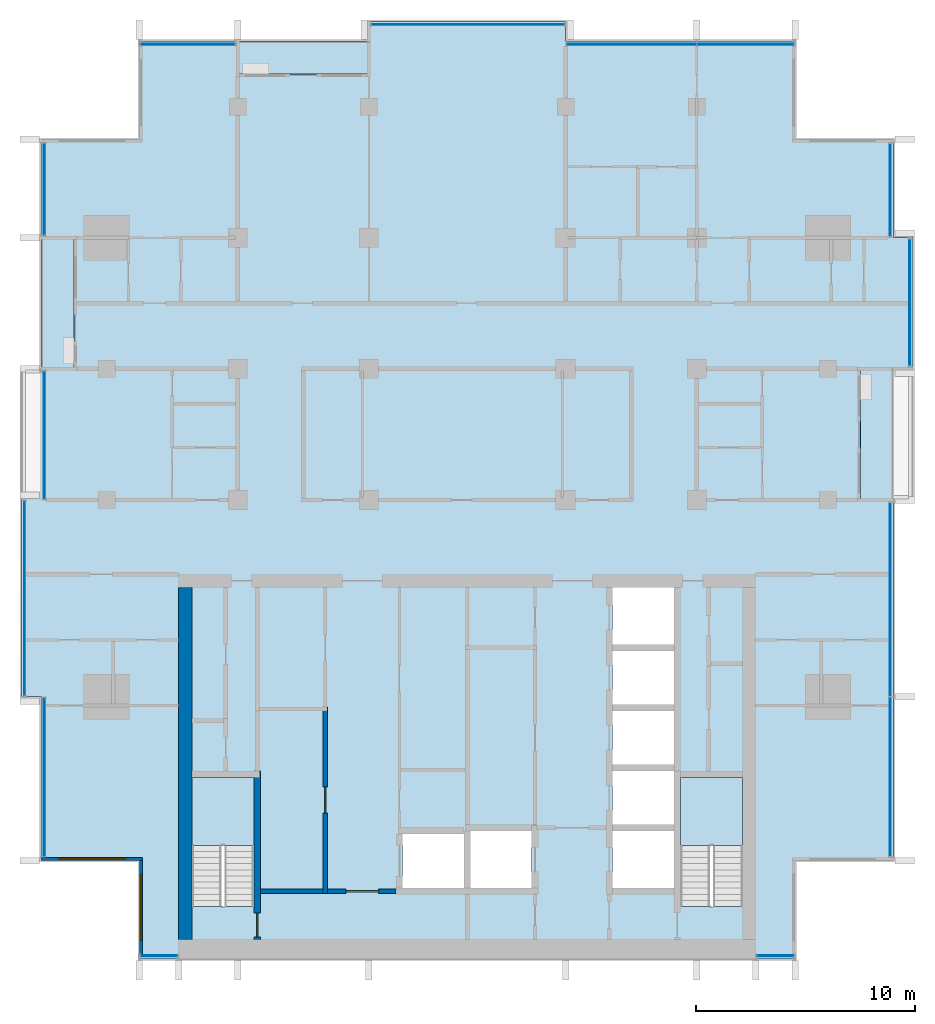
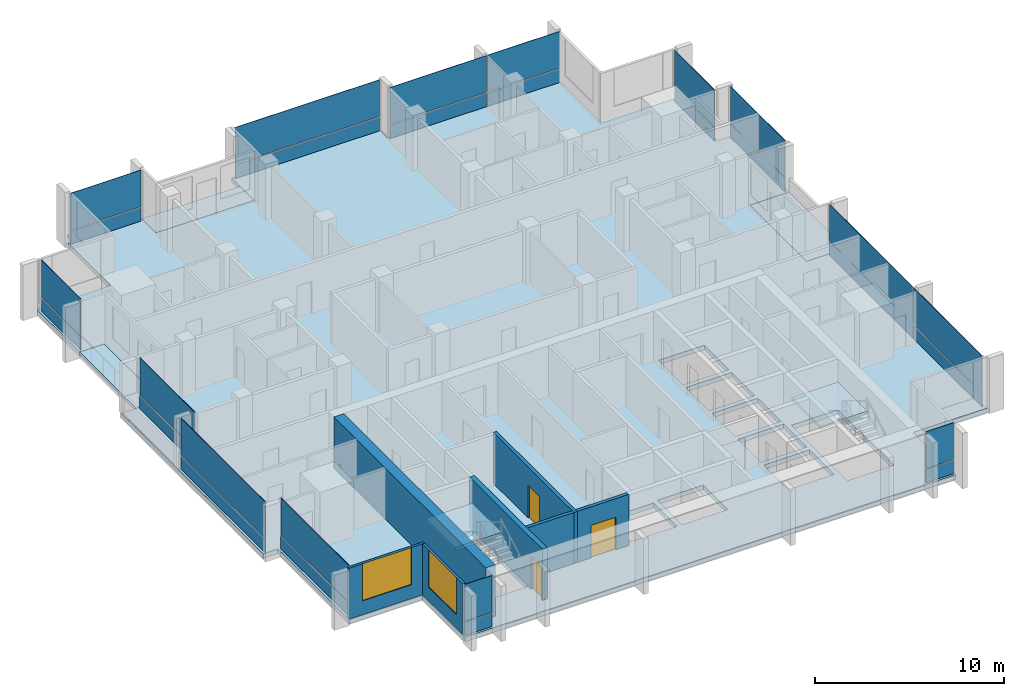
# One storey, part 6 of 16: 28 plates, 7 walls, 6 slabs, 3 doors, 2 windows, 5 openings, 14 elements without a shape of their own.
"""IFC4 building model written with IfcOpenShell, lengths in metres."""

from ifc_helpers import new_model, si_unit, direction, frame, frame_2d, origin, origin_2d, place, context, subcontext, project, spatial, polyline, rectangle, outline, extrude, material, layer, layer_set, type_object, element, fill, aggregate, save


model = new_model("IFC4")

# Units and contexts
model_context = context("Model", 3, precision=1e-05, world=origin(), true_north=direction((0.0, 1.0)))
body_context = subcontext(model_context, "Body", "Model", "MODEL_VIEW")
ifc_project = project(units=[si_unit("LENGTHUNIT", "METRE"), si_unit("AREAUNIT", "SQUARE_METRE"), si_unit("VOLUMEUNIT", "CUBIC_METRE"), si_unit("PLANEANGLEUNIT", "RADIAN"), si_unit("MASSUNIT", "GRAM", prefix="KILO")], contexts=[model_context])

# Site, building, storey
site_placement = place(None, origin())
site = spatial("IfcSite", under=ifc_project, at=site_placement, CompositionType="ELEMENT")
building_placement = place(site_placement, origin())
building = spatial("IfcBuilding", under=site, at=building_placement, Name="Finial Court Residences", CompositionType="ELEMENT")
storey_placement = place(building_placement, frame((0.0, 0.0, 208.699951171875)))
storey = spatial("IfcBuildingStorey", under=building, at=storey_placement, Name="L52", CompositionType="ELEMENT", Elevation=208.699951171875)

# Slabs
ifc_material_1 = material(Name="Concrete C35/45", Category="concrete")
ifc_layer_1 = layer(ifc_material_1, 0.199951171875)
ifc_layer_set_1 = layer_set([ifc_layer_1], Name="Balcony slab, Concrete C35/45 200")
slab_type_1 = type_object("IfcSlabType", Name="Balcony slab, Concrete C35/45 200", PredefinedType="FLOOR", material=ifc_layer_set_1)
slab_1_placement = place(storey_placement, frame((0.0, 0.0, -0.199951171875)))
element("IfcSlab", 1, at=slab_1_placement, inside=storey, type_object=slab_type_1, Name="Balcony L52-N2", PredefinedType="FLOOR", context=body_context, shape_type="SweptSolid", body=[
    extrude(outline(polyline([(-4.5, 15.0), (-4.5, 16.5), (-10.5, 16.5), (-10.5, 15.0), (-4.5, 15.0)])), origin(), (0.0, 0.0, 1.0), 0.199951171875),
])
slab_2_placement = place(storey_placement, frame((0.0, 0.0, -0.199951171875)))
element("IfcSlab", 2, at=slab_2_placement, inside=storey, type_object=slab_type_1, Name="Balcony L52-E3", PredefinedType="FLOOR", context=body_context, shape_type="SweptSolid", body=[
    extrude(outline(polyline([(18.0, 1.5), (19.5, 1.5), (20.39990234375, 1.5), (20.39990234375, -4.5), (19.5, -4.5), (18.0, -4.5), (18.0, 1.5)])), origin(), (0.0, 0.0, 1.0), 0.199951171875),
])
slab_3_placement = place(storey_placement, frame((0.0, 0.0, -0.199951171875)))
element("IfcSlab", 3, at=slab_3_placement, inside=storey, type_object=slab_type_1, Name="Balcony L52-W4", PredefinedType="FLOOR", context=body_context, shape_type="SweptSolid", body=[
    extrude(outline(polyline([(-18.0, 1.5), (-18.0, 7.5), (-19.5, 7.5), (-19.5, 1.5), (-18.0, 1.5)])), origin(), (0.0, 0.0, 1.0), 0.199951171875),
])

# Curtain wall, plate
ifc_material_2 = material(Name="Bronze anodised aluminium", Category="aluminium")
curtain_wall_type = type_object("IfcCurtainWallType", Name="Unitised curtain wall, upper zones", PredefinedType="NOTDEFINED", material=ifc_material_2)
curtain_wall_1_placement = place(storey_placement, origin())
curtain_wall_1 = element("IfcCurtainWall", 4, at=curtain_wall_1_placement, inside=storey, type_object=curtain_wall_type, Name="E-L52-CW-N1", PredefinedType="NOTDEFINED")
ifc_layer_2 = layer(ifc_material_2, 0.035888671875)
ifc_layer_set_2 = layer_set([ifc_layer_2], Name="CW2 spandrel panel 36")
plate_type_1 = type_object("IfcPlateType", Name="CW2 spandrel panel 36", PredefinedType="CURTAIN_PANEL", material=ifc_layer_set_2)
plate_1_placement = place(storey_placement, frame((-12.78759765625, 16.35009765625, 0.0), z_axis=(0.0, 0.0, 1.0), x_axis=(1.0, 0.0, 0.0)))
plate_1 = element("IfcPlate", 5, at=plate_1_placement, type_object=plate_type_1, Name="CW2 spandrel 1.1", PredefinedType="CURTAIN_PANEL", context=body_context, shape_type="SweptSolid", body=[
    extrude(rectangle(XDim=4.304931640625, YDim=0.035888671875, at=origin_2d()), origin(), (0.0, 0.0, 1.0), 0.8701171875),
])

curtain_wall_2_placement = place(storey_placement, origin())
curtain_wall_2 = element("IfcCurtainWall", 6, at=curtain_wall_2_placement, inside=storey, type_object=curtain_wall_type, Name="E-L52-CW-N2", PredefinedType="NOTDEFINED")
plate_2_placement = place(storey_placement, frame((0.03759765625, 17.25, 0.0), z_axis=(0.0, 0.0, 1.0), x_axis=(1.0, 0.0, 0.0)))
plate_2 = element("IfcPlate", 7, at=plate_2_placement, type_object=plate_type_1, Name="CW2 spandrel 1.1", PredefinedType="CURTAIN_PANEL", context=body_context, shape_type="SweptSolid", body=[
    extrude(rectangle(XDim=8.804931640625, YDim=0.035888671875, at=origin_2d()), origin(), (0.0, 0.0, 1.0), 0.8701171875),
])

# Curtain wall, plates
curtain_wall_3_placement = place(storey_placement, origin())
curtain_wall_3 = element("IfcCurtainWall", 8, at=curtain_wall_3_placement, inside=storey, type_object=curtain_wall_type, Name="E-L52-CW-N3", PredefinedType="NOTDEFINED")
plate_3_placement = place(storey_placement, frame((7.514892578125, 16.35009765625, 0.0), z_axis=(0.0, 0.0, 1.0), x_axis=(1.0, 0.0, 0.0)))
plate_3 = element("IfcPlate", 9, at=plate_3_placement, type_object=plate_type_1, Name="CW2 spandrel 1.1", PredefinedType="CURTAIN_PANEL", context=body_context, shape_type="SweptSolid", body=[
    extrude(rectangle(XDim=5.909912109375, YDim=0.035888671875, at=origin_2d()), origin(), (0.0, 0.0, 1.0), 0.8701171875),
])
plate_4_placement = place(storey_placement, frame((12.735107421875, 16.35009765625, 0.0), z_axis=(0.0, 0.0, 1.0), x_axis=(1.0, 0.0, 0.0)))
plate_4 = element("IfcPlate", 10, at=plate_4_placement, type_object=plate_type_1, Name="CW2 spandrel 2.1", PredefinedType="CURTAIN_PANEL", context=body_context, shape_type="SweptSolid", body=[
    extrude(rectangle(XDim=4.409912109375, YDim=0.035888671875, at=origin_2d()), origin(), (0.0, 0.0, 1.0), 0.8701171875),
])

curtain_wall_4_placement = place(storey_placement, origin())
curtain_wall_4 = element("IfcCurtainWall", 11, at=curtain_wall_4_placement, inside=storey, type_object=curtain_wall_type, Name="E-L52-CW-E4", PredefinedType="NOTDEFINED")
plate_5_placement = place(storey_placement, frame((19.35009765625, -17.159912109375, 0.0), z_axis=(0.0, 0.0, 1.0), x_axis=(0.0, 1.0, 0.0)))
plate_5 = element("IfcPlate", 12, at=plate_5_placement, type_object=plate_type_1, Name="CW2 spandrel 1.1", PredefinedType="CURTAIN_PANEL", context=body_context, shape_type="SweptSolid", body=[
    extrude(rectangle(XDim=7.260009765625, YDim=0.035888671875, at=origin_2d()), origin(), (0.0, 0.0, 1.0), 0.8701171875),
])
plate_6_placement = place(storey_placement, frame((19.35009765625, -9.052490234375, 0.0), z_axis=(0.0, 0.0, 1.0), x_axis=(0.0, 1.0, 0.0)))
plate_6 = element("IfcPlate", 13, at=plate_6_placement, type_object=plate_type_1, Name="CW2 spandrel 2.1", PredefinedType="CURTAIN_PANEL", context=body_context, shape_type="SweptSolid", body=[
    extrude(rectangle(XDim=8.8349609375, YDim=0.035888671875, at=origin_2d()), origin(), (0.0, 0.0, 1.0), 0.8701171875),
])

# Curtain wall, plate
curtain_wall_5_placement = place(storey_placement, origin())
curtain_wall_5 = element("IfcCurtainWall", 14, at=curtain_wall_5_placement, inside=storey, type_object=curtain_wall_type, Name="E-L52-CW-E5", PredefinedType="NOTDEFINED")
plate_7_placement = place(storey_placement, frame((20.25, 4.53759765625, 0.0), z_axis=(0.0, 0.0, 1.0), x_axis=(0.0, 1.0, 0.0)))
plate_7 = element("IfcPlate", 15, at=plate_7_placement, type_object=plate_type_1, Name="CW2 spandrel 1.1", PredefinedType="CURTAIN_PANEL", context=body_context, shape_type="SweptSolid", body=[
    extrude(rectangle(XDim=5.804931640625, YDim=0.035888671875, at=origin_2d()), origin(), (0.0, 0.0, 1.0), 0.8701171875),
])

curtain_wall_6_placement = place(storey_placement, origin())
curtain_wall_6 = element("IfcCurtainWall", 16, at=curtain_wall_6_placement, inside=storey, type_object=curtain_wall_type, Name="E-L52-CW-E6", PredefinedType="NOTDEFINED")
plate_8_placement = place(storey_placement, frame((19.35009765625, 9.675048828125, 0.0), z_axis=(0.0, 0.0, 1.0), x_axis=(0.0, 1.0, 0.0)))
plate_8 = element("IfcPlate", 17, at=plate_8_placement, type_object=plate_type_1, Name="CW2 spandrel 1.1", PredefinedType="CURTAIN_PANEL", context=body_context, shape_type="SweptSolid", body=[
    extrude(rectangle(XDim=4.22998046875, YDim=0.035888671875, at=origin_2d()), origin(), (0.0, 0.0, 1.0), 0.8701171875),
])

curtain_wall_7_placement = place(storey_placement, origin())
curtain_wall_7 = element("IfcCurtainWall", 18, at=curtain_wall_7_placement, inside=storey, type_object=curtain_wall_type, Name="E-L52-CW-S7", PredefinedType="NOTDEFINED")
plate_9_placement = place(storey_placement, frame((-14.10009765625, -25.35009765625, 0.0), z_axis=(0.0, 0.0, 1.0), x_axis=(1.0, 0.0, 0.0)))
plate_9 = element("IfcPlate", 19, at=plate_9_placement, type_object=plate_type_1, Name="CW2 spandrel 1.1", PredefinedType="CURTAIN_PANEL", context=body_context, shape_type="SweptSolid", body=[
    extrude(rectangle(XDim=1.679931640625, YDim=0.035888671875, at=origin_2d()), origin(), (0.0, 0.0, 1.0), 0.8701171875),
])

curtain_wall_8_placement = place(storey_placement, origin())
curtain_wall_8 = element("IfcCurtainWall", 20, at=curtain_wall_8_placement, inside=storey, type_object=curtain_wall_type, Name="E-L52-CW-S8", PredefinedType="NOTDEFINED")
plate_10_placement = place(storey_placement, frame((14.10009765625, -25.35009765625, 0.0), z_axis=(0.0, 0.0, 1.0), x_axis=(1.0, 0.0, 0.0)))
plate_10 = element("IfcPlate", 21, at=plate_10_placement, type_object=plate_type_1, Name="CW2 spandrel 1.1", PredefinedType="CURTAIN_PANEL", context=body_context, shape_type="SweptSolid", body=[
    extrude(rectangle(XDim=1.679931640625, YDim=0.035888671875, at=origin_2d()), origin(), (0.0, 0.0, 1.0), 0.8701171875),
])

curtain_wall_9_placement = place(storey_placement, origin())
curtain_wall_9 = element("IfcCurtainWall", 22, at=curtain_wall_9_placement, inside=storey, type_object=curtain_wall_type, Name="E-L52-CW-W9", PredefinedType="NOTDEFINED")
plate_11_placement = place(storey_placement, frame((-19.35009765625, -17.175048828125, 0.0), z_axis=(0.0, 0.0, 1.0), x_axis=(0.0, 1.0, 0.0)))
plate_11 = element("IfcPlate", 23, at=plate_11_placement, type_object=plate_type_1, Name="CW2 spandrel 1.1", PredefinedType="CURTAIN_PANEL", context=body_context, shape_type="SweptSolid", body=[
    extrude(rectangle(XDim=7.22998046875, YDim=0.035888671875, at=origin_2d()), origin(), (0.0, 0.0, 1.0), 0.8701171875),
])

curtain_wall_10_placement = place(storey_placement, origin())
curtain_wall_10 = element("IfcCurtainWall", 24, at=curtain_wall_10_placement, inside=storey, type_object=curtain_wall_type, Name="E-L52-CW-W10", PredefinedType="NOTDEFINED")
plate_12_placement = place(storey_placement, frame((-20.25, -9.0, 0.0), z_axis=(0.0, 0.0, 1.0), x_axis=(0.0, 1.0, 0.0)))
plate_12 = element("IfcPlate", 25, at=plate_12_placement, type_object=plate_type_1, Name="CW2 spandrel 1.1", PredefinedType="CURTAIN_PANEL", context=body_context, shape_type="SweptSolid", body=[
    extrude(rectangle(XDim=8.8798828125, YDim=0.035888671875, at=origin_2d()), origin(), (0.0, 0.0, 1.0), 0.8701171875),
])

curtain_wall_11_placement = place(storey_placement, origin())
curtain_wall_11 = element("IfcCurtainWall", 26, at=curtain_wall_11_placement, inside=storey, type_object=curtain_wall_type, Name="E-L52-CW-W11", PredefinedType="NOTDEFINED")
plate_13_placement = place(storey_placement, frame((-19.35009765625, -1.53759765625, 0.0), z_axis=(0.0, 0.0, 1.0), x_axis=(0.0, 1.0, 0.0)))
plate_13 = element("IfcPlate", 27, at=plate_13_placement, type_object=plate_type_1, Name="CW2 spandrel 1.1", PredefinedType="CURTAIN_PANEL", context=body_context, shape_type="SweptSolid", body=[
    extrude(rectangle(XDim=5.804931640625, YDim=0.035888671875, at=origin_2d()), origin(), (0.0, 0.0, 1.0), 0.8701171875),
])

curtain_wall_12_placement = place(storey_placement, origin())
curtain_wall_12 = element("IfcCurtainWall", 28, at=curtain_wall_12_placement, inside=storey, type_object=curtain_wall_type, Name="E-L52-CW-W12", PredefinedType="NOTDEFINED")
plate_14_placement = place(storey_placement, frame((-19.35009765625, 9.71240234375, 0.0), z_axis=(0.0, 0.0, 1.0), x_axis=(0.0, 1.0, 0.0)))
plate_14 = element("IfcPlate", 29, at=plate_14_placement, type_object=plate_type_1, Name="CW2 spandrel 1.1", PredefinedType="CURTAIN_PANEL", context=body_context, shape_type="SweptSolid", body=[
    extrude(rectangle(XDim=4.155029296875, YDim=0.035888671875, at=origin_2d()), origin(), (0.0, 0.0, 1.0), 0.8701171875),
])

# Plate
ifc_material_3 = material(Name="Clear low-e glass", Category="glass")
ifc_layer_3 = layer(ifc_material_3, 0.030029296875)
ifc_layer_set_3 = layer_set([ifc_layer_3], Name="CW2 vision glass 30")
plate_type_2 = type_object("IfcPlateType", Name="CW2 vision glass 30", PredefinedType="CURTAIN_PANEL", material=ifc_layer_set_3)
plate_15_placement = place(storey_placement, frame((-12.78759765625, 16.35009765625, 0.929931640625), z_axis=(0.0, 0.0, 1.0), x_axis=(1.0, 0.0, 0.0)))
plate_15 = element("IfcPlate", 30, at=plate_15_placement, type_object=plate_type_2, Name="CW2 glass 1.2", PredefinedType="CURTAIN_PANEL", context=body_context, shape_type="SweptSolid", body=[
    extrude(rectangle(XDim=4.304931640625, YDim=0.030029296875, at=origin_2d()), origin(), (0.0, 0.0, 1.0), 2.3701171875),
])

aggregate(curtain_wall_1, [plate_1, plate_15])

plate_16_placement = place(storey_placement, frame((0.03759765625, 17.25, 0.929931640625), z_axis=(0.0, 0.0, 1.0), x_axis=(1.0, 0.0, 0.0)))
plate_16 = element("IfcPlate", 31, at=plate_16_placement, type_object=plate_type_2, Name="CW2 glass 1.2", PredefinedType="CURTAIN_PANEL", context=body_context, shape_type="SweptSolid", body=[
    extrude(rectangle(XDim=8.804931640625, YDim=0.030029296875, at=origin_2d()), origin(), (0.0, 0.0, 1.0), 2.3701171875),
])

aggregate(curtain_wall_2, [plate_2, plate_16])

plate_17_placement = place(storey_placement, frame((7.514892578125, 16.35009765625, 0.929931640625), z_axis=(0.0, 0.0, 1.0), x_axis=(1.0, 0.0, 0.0)))
plate_17 = element("IfcPlate", 32, at=plate_17_placement, type_object=plate_type_2, Name="CW2 glass 1.2", PredefinedType="CURTAIN_PANEL", context=body_context, shape_type="SweptSolid", body=[
    extrude(rectangle(XDim=5.909912109375, YDim=0.030029296875, at=origin_2d()), origin(), (0.0, 0.0, 1.0), 2.3701171875),
])

plate_18_placement = place(storey_placement, frame((12.735107421875, 16.35009765625, 0.929931640625), z_axis=(0.0, 0.0, 1.0), x_axis=(1.0, 0.0, 0.0)))
plate_18 = element("IfcPlate", 33, at=plate_18_placement, type_object=plate_type_2, Name="CW2 glass 2.2", PredefinedType="CURTAIN_PANEL", context=body_context, shape_type="SweptSolid", body=[
    extrude(rectangle(XDim=4.409912109375, YDim=0.030029296875, at=origin_2d()), origin(), (0.0, 0.0, 1.0), 2.3701171875),
])

aggregate(curtain_wall_3, [plate_3, plate_17, plate_4, plate_18])

plate_19_placement = place(storey_placement, frame((19.35009765625, -17.159912109375, 0.929931640625), z_axis=(0.0, 0.0, 1.0), x_axis=(0.0, 1.0, 0.0)))
plate_19 = element("IfcPlate", 34, at=plate_19_placement, type_object=plate_type_2, Name="CW2 glass 1.2", PredefinedType="CURTAIN_PANEL", context=body_context, shape_type="SweptSolid", body=[
    extrude(rectangle(XDim=7.260009765625, YDim=0.030029296875, at=origin_2d()), origin(), (0.0, 0.0, 1.0), 2.3701171875),
])

plate_20_placement = place(storey_placement, frame((19.35009765625, -9.052490234375, 0.929931640625), z_axis=(0.0, 0.0, 1.0), x_axis=(0.0, 1.0, 0.0)))
plate_20 = element("IfcPlate", 35, at=plate_20_placement, type_object=plate_type_2, Name="CW2 glass 2.2", PredefinedType="CURTAIN_PANEL", context=body_context, shape_type="SweptSolid", body=[
    extrude(rectangle(XDim=8.8349609375, YDim=0.030029296875, at=origin_2d()), origin(), (0.0, 0.0, 1.0), 2.3701171875),
])

aggregate(curtain_wall_4, [plate_5, plate_19, plate_6, plate_20])

plate_21_placement = place(storey_placement, frame((20.25, 4.53759765625, 0.929931640625), z_axis=(0.0, 0.0, 1.0), x_axis=(0.0, 1.0, 0.0)))
plate_21 = element("IfcPlate", 36, at=plate_21_placement, type_object=plate_type_2, Name="CW2 glass 1.2", PredefinedType="CURTAIN_PANEL", context=body_context, shape_type="SweptSolid", body=[
    extrude(rectangle(XDim=5.804931640625, YDim=0.030029296875, at=origin_2d()), origin(), (0.0, 0.0, 1.0), 2.3701171875),
])

aggregate(curtain_wall_5, [plate_7, plate_21])

plate_22_placement = place(storey_placement, frame((19.35009765625, 9.675048828125, 0.929931640625), z_axis=(0.0, 0.0, 1.0), x_axis=(0.0, 1.0, 0.0)))
plate_22 = element("IfcPlate", 37, at=plate_22_placement, type_object=plate_type_2, Name="CW2 glass 1.2", PredefinedType="CURTAIN_PANEL", context=body_context, shape_type="SweptSolid", body=[
    extrude(rectangle(XDim=4.22998046875, YDim=0.030029296875, at=origin_2d()), origin(), (0.0, 0.0, 1.0), 2.3701171875),
])

aggregate(curtain_wall_6, [plate_8, plate_22])

plate_23_placement = place(storey_placement, frame((-14.10009765625, -25.35009765625, 0.929931640625), z_axis=(0.0, 0.0, 1.0), x_axis=(1.0, 0.0, 0.0)))
plate_23 = element("IfcPlate", 38, at=plate_23_placement, type_object=plate_type_2, Name="CW2 glass 1.2", PredefinedType="CURTAIN_PANEL", context=body_context, shape_type="SweptSolid", body=[
    extrude(rectangle(XDim=1.679931640625, YDim=0.030029296875, at=origin_2d()), origin(), (0.0, 0.0, 1.0), 2.3701171875),
])

aggregate(curtain_wall_7, [plate_9, plate_23])

plate_24_placement = place(storey_placement, frame((14.10009765625, -25.35009765625, 0.929931640625), z_axis=(0.0, 0.0, 1.0), x_axis=(1.0, 0.0, 0.0)))
plate_24 = element("IfcPlate", 39, at=plate_24_placement, type_object=plate_type_2, Name="CW2 glass 1.2", PredefinedType="CURTAIN_PANEL", context=body_context, shape_type="SweptSolid", body=[
    extrude(rectangle(XDim=1.679931640625, YDim=0.030029296875, at=origin_2d()), origin(), (0.0, 0.0, 1.0), 2.3701171875),
])

aggregate(curtain_wall_8, [plate_10, plate_24])

plate_25_placement = place(storey_placement, frame((-19.35009765625, -17.175048828125, 0.929931640625), z_axis=(0.0, 0.0, 1.0), x_axis=(0.0, 1.0, 0.0)))
plate_25 = element("IfcPlate", 40, at=plate_25_placement, type_object=plate_type_2, Name="CW2 glass 1.2", PredefinedType="CURTAIN_PANEL", context=body_context, shape_type="SweptSolid", body=[
    extrude(rectangle(XDim=7.22998046875, YDim=0.030029296875, at=origin_2d()), origin(), (0.0, 0.0, 1.0), 2.3701171875),
])

aggregate(curtain_wall_9, [plate_11, plate_25])

plate_26_placement = place(storey_placement, frame((-20.25, -9.0, 0.929931640625), z_axis=(0.0, 0.0, 1.0), x_axis=(0.0, 1.0, 0.0)))
plate_26 = element("IfcPlate", 41, at=plate_26_placement, type_object=plate_type_2, Name="CW2 glass 1.2", PredefinedType="CURTAIN_PANEL", context=body_context, shape_type="SweptSolid", body=[
    extrude(rectangle(XDim=8.8798828125, YDim=0.030029296875, at=origin_2d()), origin(), (0.0, 0.0, 1.0), 2.3701171875),
])

aggregate(curtain_wall_10, [plate_12, plate_26])

plate_27_placement = place(storey_placement, frame((-19.35009765625, -1.53759765625, 0.929931640625), z_axis=(0.0, 0.0, 1.0), x_axis=(0.0, 1.0, 0.0)))
plate_27 = element("IfcPlate", 42, at=plate_27_placement, type_object=plate_type_2, Name="CW2 glass 1.2", PredefinedType="CURTAIN_PANEL", context=body_context, shape_type="SweptSolid", body=[
    extrude(rectangle(XDim=5.804931640625, YDim=0.030029296875, at=origin_2d()), origin(), (0.0, 0.0, 1.0), 2.3701171875),
])

aggregate(curtain_wall_11, [plate_13, plate_27])

plate_28_placement = place(storey_placement, frame((-19.35009765625, 9.71240234375, 0.929931640625), z_axis=(0.0, 0.0, 1.0), x_axis=(0.0, 1.0, 0.0)))
plate_28 = element("IfcPlate", 43, at=plate_28_placement, type_object=plate_type_2, Name="CW2 glass 1.2", PredefinedType="CURTAIN_PANEL", context=body_context, shape_type="SweptSolid", body=[
    extrude(rectangle(XDim=4.155029296875, YDim=0.030029296875, at=origin_2d()), origin(), (0.0, 0.0, 1.0), 2.3701171875),
])

aggregate(curtain_wall_12, [plate_14, plate_28])

# Stair, slab
ifc_material_4 = material(Name="Concrete C50/60", Category="concrete")
stair_type = type_object("IfcStairType", Name="Exit stair 22 risers of 163.6 mm", PredefinedType="HALF_TURN_STAIR", material=ifc_material_4)
stair_1_placement = place(storey_placement, origin())
stair_1 = element("IfcStair", 44, at=stair_1_placement, inside=storey, type_object=stair_type, Name="L52 Exit stair ST-1", PredefinedType="HALF_TURN_STAIR")
ifc_layer_4 = layer(ifc_material_4, 0.199951171875)
ifc_layer_set_4 = layer_set([ifc_layer_4], Name="Exit stair landing")
slab_type_2 = type_object("IfcSlabType", Name="Exit stair landing", PredefinedType="LANDING", material=ifc_layer_set_4)
slab_4_placement = place(storey_placement, frame((0.0, 0.0, 1.60009765625)))
slab_4 = element("IfcSlab", 45, at=slab_4_placement, type_object=slab_type_2, Name="ST-1 landing 1", PredefinedType="LANDING", context=body_context, shape_type="SweptSolid", body=[
    extrude(outline(polyline([(-9.75, -20.300048828125), (-9.75, -17.199951171875), (-12.60009765625, -17.199951171875), (-12.60009765625, -20.300048828125), (-9.75, -20.300048828125)])), origin(), (0.0, 0.0, 1.0), 0.199951171875),
])
aggregate(stair_1, [slab_4])

stair_2_placement = place(storey_placement, origin())
stair_2 = element("IfcStair", 46, at=stair_2_placement, inside=storey, type_object=stair_type, Name="L52 Exit stair ST-2", PredefinedType="HALF_TURN_STAIR")
slab_5_placement = place(storey_placement, frame((0.0, 0.0, 1.60009765625)))
slab_5 = element("IfcSlab", 47, at=slab_5_placement, type_object=slab_type_2, Name="ST-2 landing 1", PredefinedType="LANDING", context=body_context, shape_type="SweptSolid", body=[
    extrude(outline(polyline([(12.60009765625, -20.300048828125), (12.60009765625, -17.199951171875), (9.75, -17.199951171875), (9.75, -20.300048828125), (12.60009765625, -20.300048828125)])), origin(), (0.0, 0.0, 1.0), 0.199951171875),
])
aggregate(stair_2, [slab_5])

# Slab
ifc_material_5 = material(Name="Concrete C40/50", Category="concrete")
ifc_layer_5 = layer(ifc_material_5, 0.300048828125)
ifc_layer_set_5 = layer_set([ifc_layer_5], Name="Flat plate slab 300 Concrete C40/50")
slab_type_3 = type_object("IfcSlabType", Name="Flat plate slab 300 Concrete C40/50", PredefinedType="FLOOR", material=ifc_layer_set_5)
slab_6_placement = place(storey_placement, frame((0.0, 0.0, -0.300048828125)))
element("IfcSlab", 48, at=slab_6_placement, inside=storey, type_object=slab_type_3, Name="S:SLAB:L52", PredefinedType="FLOOR", context=body_context, shape_type="SweptSolid", body=[
    extrude(outline(polyline([(-18.0, 7.5), (-19.5, 7.5), (-19.5, 12.0), (-15.0, 12.0), (-15.0, 16.5), (-10.5, 16.5), (-10.5, 15.0), (-4.5, 15.0), (-4.5, 16.5), (-4.5, 17.39990234375), (4.5, 17.39990234375), (4.5, 16.5), (15.0, 16.5), (15.0, 12.0), (19.5, 12.0), (19.5, 7.5), (20.39990234375, 7.5), (20.39990234375, 1.5), (19.5, 1.5), (18.0, 1.5), (18.0, -4.5), (19.5, -4.5), (19.5, -21.0), (15.0, -21.0), (15.0, -25.5), (-15.0, -25.5), (-15.0, -21.0), (-19.5, -21.0), (-19.5, -13.5), (-20.39990234375, -13.5), (-20.39990234375, -4.5), (-20.39990234375, 1.5), (-19.5, 1.5), (-18.0, 1.5), (-18.0, 7.5)]), holes=[polyline([(-0.14990234375, -19.77001953125), (-2.949951171875, -19.77001953125), (-2.949951171875, -22.25), (-0.14990234375, -22.25), (-0.14990234375, -19.77001953125)]), polyline([(2.949951171875, -19.64990234375), (0.14990234375, -19.64990234375), (0.14990234375, -22.25), (2.949951171875, -22.25), (2.949951171875, -19.64990234375)]), polyline([(9.449951171875, -19.64990234375), (6.64990234375, -19.64990234375), (6.64990234375, -22.25), (9.449951171875, -22.25), (9.449951171875, -19.64990234375)]), polyline([(-12.60009765625, -17.199951171875), (-12.60009765625, -23.09912109375), (-9.75, -23.09912109375), (-9.75, -17.199951171875), (-12.60009765625, -17.199951171875)]), polyline([(9.75, -17.199951171875), (9.75, -23.09912109375), (12.60009765625, -23.09912109375), (12.60009765625, -17.199951171875), (9.75, -17.199951171875)]), polyline([(9.449951171875, -16.89990234375), (6.64990234375, -16.89990234375), (6.64990234375, -19.35009765625), (9.449951171875, -19.35009765625), (9.449951171875, -16.89990234375)]), polyline([(9.449951171875, -14.14990234375), (6.64990234375, -14.14990234375), (6.64990234375, -16.60009765625), (9.449951171875, -16.60009765625), (9.449951171875, -14.14990234375)]), polyline([(9.449951171875, -13.85009765625), (9.449951171875, -11.39990234375), (6.64990234375, -11.39990234375), (6.64990234375, -13.85009765625), (9.449951171875, -13.85009765625)]), polyline([(9.449951171875, -11.10009765625), (9.449951171875, -8.5), (6.64990234375, -8.5), (6.64990234375, -11.10009765625), (9.449951171875, -11.10009765625)])]), origin(), (0.0, 0.0, 1.0), 0.300048828125),
])

# Wall
ifc_material_6 = material(Name="Concrete C60/75", Category="concrete")
ifc_layer_6 = layer(ifc_material_6, 0.60009765625)
ifc_layer_set_6 = layer_set([ifc_layer_6], Name="Core outer wall 600 Concrete C60/75")
wall_type_1 = type_object("IfcWallType", Name="Core outer wall 600 Concrete C60/75", PredefinedType="SHEAR", material=ifc_layer_set_6)
wall_1_placement = place(storey_placement, frame((-12.89990234375, -24.60009765625, 0.0), z_axis=(0.0, 0.0, 1.0), x_axis=(0.0, 1.0, 0.0)))
element("IfcWall", 49, at=wall_1_placement, inside=storey, type_object=wall_type_1, Name="Core outer wall L52-03", PredefinedType="SHEAR", context=body_context, shape_type="SweptSolid", body=[
    extrude(rectangle(XDim=16.10009765625, YDim=0.60009765625, at=frame_2d((8.050048828125, 0.0))), origin(), (0.0, 0.0, 1.0), 3.300048828125),
])

# Wall, opening, door
ifc_layer_7 = layer(ifc_material_6, 0.300048828125)
ifc_layer_set_7 = layer_set([ifc_layer_7], Name="Lift shaft and stair wall 300 Concrete C60/75")
wall_type_2 = type_object("IfcWallType", Name="Lift shaft and stair wall 300 Concrete C60/75", PredefinedType="SHEAR", material=ifc_layer_set_7)
wall_2_placement = place(storey_placement, frame((-9.60009765625, -24.60009765625, 0.0), z_axis=(0.0, 0.0, 1.0), x_axis=(0.0, 1.0, 0.0)))
wall_2 = element("IfcWall", 50, at=wall_2_placement, inside=storey, type_object=wall_type_2, Name="Core wall L52-21", PredefinedType="SHEAR", context=body_context, shape_type="SweptSolid", body=[
    extrude(rectangle(XDim=7.7001953125, YDim=0.300048828125, at=frame_2d((3.85009765625, 0.0))), origin(), (0.0, 0.0, 1.0), 3.300048828125),
])
opening_1_placement = place(wall_2_placement, frame((0.10009765625, 0.0, 0.0)))
opening_1 = element("IfcOpeningElement", 51, at=opening_1_placement, cuts=wall_2, Name="Opening L52-C19", PredefinedType="OPENING", context=body_context, shape_type="SweptSolid", body=[
    extrude(rectangle(XDim=1.10009765625, YDim=2.10009765625, at=frame_2d((0.550048828125, 1.050048828125))), frame((0.0, 0.159912109375, 0.0), z_axis=(0.0, -1.0, 0.0), x_axis=(1.0, 0.0, 0.0)), (0.0, 0.0, 1.0), 0.320068359375),
])
ifc_material_7 = material(Name="Steel fire door", Category="steel")
door_type_1 = type_object("IfcDoorType", Name="Stair door 1100 x 2100 EI 90", OperationType="NOTDEFINED", PredefinedType="DOOR", material=ifc_material_7)
door_1_placement = place(opening_1_placement, origin())
door_1 = element("IfcDoor", 52, at=door_1_placement, inside=storey, type_object=door_type_1, Name="Stair door L52-C19", OperationType="SINGLE_SWING_LEFT", OverallHeight=2.10009765625, OverallWidth=1.10009765625, PredefinedType="DOOR", context=body_context, shape_type="SweptSolid", body=[
    extrude(rectangle(XDim=1.10009765625, YDim=2.10009765625, at=frame_2d((0.550048828125, 1.050048828125))), frame((0.0, 0.02490234375, 0.0), z_axis=(0.0, -1.0, 0.0), x_axis=(1.0, 0.0, 0.0)), (0.0, 0.0, 1.0), 0.050048828125),
])
fill(opening_1, door_1)

# Wall, opening, window
ifc_material_8 = material(Name="Natural limestone", Category="masonry")
ifc_layer_8 = layer(ifc_material_8, 0.14990234375)
ifc_layer_set_8 = layer_set([ifc_layer_8], Name="Limestone clad wall 150")
wall_type_3 = type_object("IfcWallType", Name="Limestone clad wall 150", PredefinedType="SOLIDWALL", material=ifc_layer_set_8)
wall_3_placement = place(storey_placement, frame((-14.925048828125, -25.262451171875, 0.0), z_axis=(0.0, 0.0, 1.0), x_axis=(0.0, 1.0, 0.0)))
wall_3 = element("IfcWall", 53, at=wall_3_placement, inside=storey, type_object=wall_type_3, Name="E-L52-NWW13", PredefinedType="SOLIDWALL", context=body_context, shape_type="SweptSolid", body=[
    extrude(rectangle(XDim=4.262451171875, YDim=0.14990234375, at=frame_2d((2.13134765625, 0.0))), origin(), (0.0, 0.0, 1.0), 3.300048828125),
])
opening_2_placement = place(wall_3_placement, frame((0.631103515625, 0.0, 0.89990234375)))
opening_2 = element("IfcOpeningElement", 54, at=opening_2_placement, cuts=wall_3, Name="Opening WE52-01", PredefinedType="OPENING", context=body_context, shape_type="SweptSolid", body=[
    extrude(rectangle(XDim=3.0, YDim=2.39990234375, at=frame_2d((1.5, 1.199951171875))), frame((0.0, 0.0849609375, 0.0), z_axis=(0.0, -1.0, 0.0), x_axis=(1.0, 0.0, 0.0)), (0.0, 0.0, 1.0), 0.169921875),
])
window_type = type_object("IfcWindowType", Name="Corner window 3000 x 2400", PartitioningType="SINGLE_PANEL", PredefinedType="WINDOW", material=ifc_material_3)
window_1_placement = place(opening_2_placement, origin())
window_1 = element("IfcWindow", 55, at=window_1_placement, inside=storey, type_object=window_type, Name="E-L52-NWW13-W1", OverallHeight=2.39990234375, OverallWidth=3.0, PartitioningType="SINGLE_PANEL", PredefinedType="WINDOW", context=body_context, shape_type="SweptSolid", body=[
    extrude(rectangle(XDim=3.0, YDim=2.39990234375, at=frame_2d((1.5, 1.199951171875))), frame((0.0, 0.030029296875, 0.0), z_axis=(0.0, -1.0, 0.0), x_axis=(1.0, 0.0, 0.0)), (0.0, 0.0, 1.0), 0.06005859375),
])
fill(opening_2, window_1)

wall_4_placement = place(storey_placement, frame((-14.85009765625, -20.925048828125, 0.0), z_axis=(0.0, 0.0, 1.0), x_axis=(-1.0, 0.0, 0.0)))
wall_4 = element("IfcWall", 56, at=wall_4_placement, inside=storey, type_object=wall_type_3, Name="E-L52-NWS14", PredefinedType="SOLIDWALL", context=body_context, shape_type="SweptSolid", body=[
    extrude(rectangle(XDim=4.64990234375, YDim=0.14990234375, at=frame_2d((2.324951171875, 0.0))), origin(), (0.0, 0.0, 1.0), 3.300048828125),
])
opening_3_placement = place(wall_4_placement, frame((0.824951171875, 0.0, 0.89990234375)))
opening_3 = element("IfcOpeningElement", 57, at=opening_3_placement, cuts=wall_4, Name="Opening WE52-02", PredefinedType="OPENING", context=body_context, shape_type="SweptSolid", body=[
    extrude(rectangle(XDim=3.0, YDim=2.39990234375, at=frame_2d((1.5, 1.199951171875))), frame((0.0, 0.0849609375, 0.0), z_axis=(0.0, -1.0, 0.0), x_axis=(1.0, 0.0, 0.0)), (0.0, 0.0, 1.0), 0.169921875),
])
window_2_placement = place(opening_3_placement, origin())
window_2 = element("IfcWindow", 58, at=window_2_placement, inside=storey, type_object=window_type, Name="E-L52-NWS14-W1", OverallHeight=2.39990234375, OverallWidth=3.0, PartitioningType="SINGLE_PANEL", PredefinedType="WINDOW", context=body_context, shape_type="SweptSolid", body=[
    extrude(rectangle(XDim=3.0, YDim=2.39990234375, at=frame_2d((1.5, 1.199951171875))), frame((0.0, 0.030029296875, 0.0), z_axis=(0.0, -1.0, 0.0), x_axis=(1.0, 0.0, 0.0)), (0.0, 0.0, 1.0), 0.06005859375),
])
fill(opening_3, window_2)

# Wall
ifc_material_9 = material(Name="Fire-rated gypsum board partition")
ifc_layer_9 = layer(ifc_material_9, 0.199951171875)
ifc_layer_set_9 = layer_set([ifc_layer_9], Name="Riser room wall 200 EI 120")
wall_type_4 = type_object("IfcWallType", Name="Riser room wall 200 EI 120", PredefinedType="PARTITIONING", material=ifc_layer_set_9)
wall_5_placement = place(storey_placement, frame((-9.449951171875, -22.39990234375, 0.0), z_axis=(0.0, 0.0, 1.0), x_axis=(1.0, 0.0, 0.0)))
element("IfcWall", 59, at=wall_5_placement, inside=storey, type_object=wall_type_4, Name="Core partition L52-01", PredefinedType="PARTITIONING", context=body_context, shape_type="SweptSolid", body=[
    extrude(rectangle(XDim=2.849853515625, YDim=0.199951171875, at=frame_2d((1.4248046875, 0.0))), origin(), (0.0, 0.0, 1.0), 3.300048828125),
])

# Wall, opening, door
wall_6_placement = place(storey_placement, frame((-6.5, -22.5, 0.0), z_axis=(0.0, 0.0, 1.0), x_axis=(0.0, 1.0, 0.0)))
wall_6 = element("IfcWall", 60, at=wall_6_placement, inside=storey, type_object=wall_type_4, Name="Core partition L52-24", PredefinedType="PARTITIONING", context=body_context, shape_type="SweptSolid", body=[
    extrude(rectangle(XDim=8.5400390625, YDim=0.199951171875, at=frame_2d((4.27001953125, 0.0))), origin(), (0.0, 0.0, 1.0), 3.300048828125),
])
opening_4_placement = place(wall_6_placement, frame((3.669921875, 0.0, 0.0)))
opening_4 = element("IfcOpeningElement", 61, at=opening_4_placement, cuts=wall_6, Name="Opening L52-C09", PredefinedType="OPENING", context=body_context, shape_type="SweptSolid", body=[
    extrude(rectangle(XDim=1.199951171875, YDim=2.10009765625, at=frame_2d((0.60009765625, 1.050048828125))), frame((0.0, 0.10986328125, 0.0), z_axis=(0.0, -1.0, 0.0), x_axis=(1.0, 0.0, 0.0)), (0.0, 0.0, 1.0), 0.219970703125),
])
door_type_2 = type_object("IfcDoorType", Name="Riser room door 1200 x 2100 EI 90", OperationType="NOTDEFINED", PredefinedType="DOOR", material=ifc_material_7)
door_2_placement = place(opening_4_placement, origin())
door_2 = element("IfcDoor", 62, at=door_2_placement, inside=storey, type_object=door_type_2, Name="Riser room door L52-C09", OperationType="SINGLE_SWING_LEFT", OverallHeight=2.10009765625, OverallWidth=1.199951171875, PredefinedType="DOOR", context=body_context, shape_type="SweptSolid", body=[
    extrude(rectangle(XDim=1.199951171875, YDim=2.10009765625, at=frame_2d((0.60009765625, 1.050048828125))), frame((0.0, 0.02490234375, 0.0), z_axis=(0.0, -1.0, 0.0), x_axis=(1.0, 0.0, 0.0)), (0.0, 0.0, 1.0), 0.050048828125),
])
fill(opening_4, door_2)

ifc_layer_10 = layer(ifc_material_9, 0.199951171875)
ifc_layer_set_10 = layer_set([ifc_layer_10], Name="Stair passage wall 200 EI 180")
wall_type_5 = type_object("IfcWallType", Name="Stair passage wall 200 EI 180", PredefinedType="PARTITIONING", material=ifc_layer_set_10)
wall_7_placement = place(storey_placement, frame((-3.25, -22.39990234375, 0.0), z_axis=(0.0, 0.0, 1.0), x_axis=(-1.0, 0.0, 0.0)))
wall_7 = element("IfcWall", 63, at=wall_7_placement, inside=storey, type_object=wall_type_5, Name="Core partition L52-02", PredefinedType="PARTITIONING", context=body_context, shape_type="SweptSolid", body=[
    extrude(rectangle(XDim=3.14990234375, YDim=0.199951171875, at=frame_2d((1.574951171875, 0.0))), origin(), (0.0, 0.0, 1.0), 3.300048828125),
])
opening_5_placement = place(wall_7_placement, frame((0.800048828125, 0.0, 0.0)))
opening_5 = element("IfcOpeningElement", 64, at=opening_5_placement, cuts=wall_7, Name="Opening L52-C03", PredefinedType="OPENING", context=body_context, shape_type="SweptSolid", body=[
    extrude(rectangle(XDim=1.5, YDim=2.10009765625, at=frame_2d((0.75, 1.050048828125))), frame((0.0, 0.10986328125, 0.0), z_axis=(0.0, -1.0, 0.0), x_axis=(1.0, 0.0, 0.0)), (0.0, 0.0, 1.0), 0.219970703125),
])
door_type_3 = type_object("IfcDoorType", Name="Lift lobby door 1500 x 2100 EI 60", OperationType="DOUBLE_DOOR_SINGLE_SWING", PredefinedType="DOOR", material=ifc_material_7)
door_3_placement = place(opening_5_placement, origin())
door_3 = element("IfcDoor", 65, at=door_3_placement, inside=storey, type_object=door_type_3, Name="Lift lobby door L52-C03", OperationType="DOUBLE_DOOR_SINGLE_SWING", OverallHeight=2.10009765625, OverallWidth=1.5, PredefinedType="DOOR", context=body_context, shape_type="SweptSolid", body=[
    extrude(rectangle(XDim=1.5, YDim=2.10009765625, at=frame_2d((0.75, 1.050048828125))), frame((0.0, 0.02490234375, 0.0), z_axis=(0.0, -1.0, 0.0), x_axis=(1.0, 0.0, 0.0)), (0.0, 0.0, 1.0), 0.050048828125),
])
fill(opening_5, door_3)

save(model, "model.ifc")
